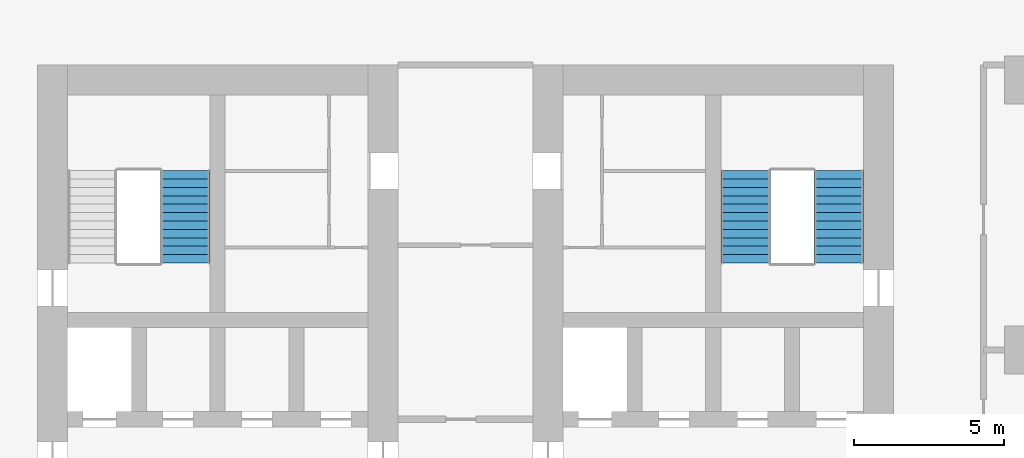
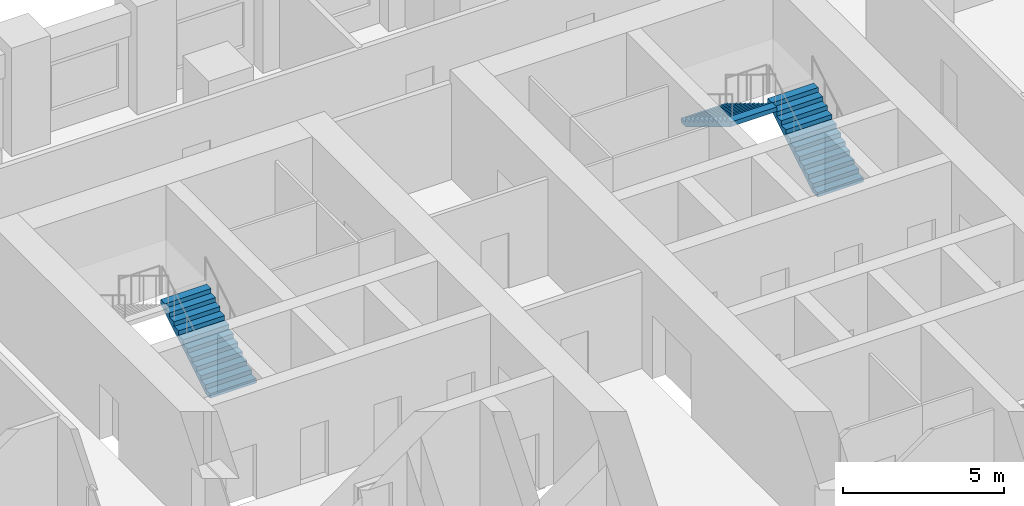
# One storey, part 9 of 12: 3 stair flights, 2 elements without a shape of their own.
"""IFC4 building model written with IfcOpenShell, lengths in metres."""

from ifc_helpers import new_model, si_unit, direction, frame, origin, place, context, subcontext, project, spatial, polyline, outline, extrude, material, type_object, element, aggregate, save


model = new_model("IFC4")

# Units and contexts
model_context = context("Model", 3, precision=1e-05, world=origin(), true_north=direction((0.0, 1.0)))
body_context = subcontext(model_context, "Body", "Model", "MODEL_VIEW")
ifc_project = project(units=[si_unit("LENGTHUNIT", "METRE"), si_unit("AREAUNIT", "SQUARE_METRE"), si_unit("VOLUMEUNIT", "CUBIC_METRE"), si_unit("PLANEANGLEUNIT", "RADIAN"), si_unit("MASSUNIT", "GRAM", prefix="KILO")], contexts=[model_context])

# Site, building, storey
site_placement = place(None, origin())
site = spatial("IfcSite", under=ifc_project, at=site_placement, CompositionType="ELEMENT")
building_placement = place(site_placement, origin())
building = spatial("IfcBuilding", under=site, at=building_placement, Name="Corbel Stack Research Tower", CompositionType="ELEMENT")
storey_placement = place(building_placement, frame((0.0, 0.0, 27.699951171875)))
storey = spatial("IfcBuildingStorey", under=building, at=storey_placement, Name="L06", CompositionType="ELEMENT", Elevation=27.699951171875)

# Stair, stair flight
ifc_material_1 = material(Name="Concrete C40/50", Category="concrete")
stair_type = type_object("IfcStairType", Name="Exit stair 24 risers", PredefinedType="HALF_TURN_STAIR", material=ifc_material_1)
stair_1_placement = place(storey_placement, origin())
stair_1 = element("IfcStair", 1, at=stair_1_placement, inside=storey, type_object=stair_type, Name="L06 Exit stair ST-W2", PredefinedType="HALF_TURN_STAIR")
ifc_material_2 = material(Name="Concrete C40/50", Category="concrete")
stair_flight_type = type_object("IfcStairFlightType", Name="Stair flight 12 risers", PredefinedType="STRAIGHT", material=ifc_material_2)
stair_flight_1_placement = place(storey_placement, frame((-5.574951171875, 11.89990234375, 0.0), z_axis=(0.0, 0.0, 1.0), x_axis=(0.0, 1.0, 0.0)))
stair_flight_1 = element("IfcStairFlight", 2, at=stair_flight_1_placement, type_object=stair_flight_type, Name="ST-W2 flight 1", NumberOfRisers=12, NumberOfTreads=11, PredefinedType="STRAIGHT", RiserHeight=0.170833333, TreadLength=0.28, context=body_context, shape_type="SweptSolid", body=[
    extrude(outline(polyline([(0.0, 0.0), (0.0, 0.1708984375), (0.280029296875, 0.1708984375), (0.280029296875, 0.341552734375), (0.56005859375, 0.341552734375), (0.56005859375, 0.512451171875), (0.840087890625, 0.512451171875), (0.840087890625, 0.683349609375), (1.1201171875, 0.683349609375), (1.1201171875, 0.854248046875), (1.39990234375, 0.854248046875), (1.39990234375, 1.02490234375), (1.679931640625, 1.02490234375), (1.679931640625, 1.19580078125), (1.9599609375, 1.19580078125), (1.9599609375, 1.36669921875), (2.239990234375, 1.36669921875), (2.239990234375, 1.53759765625), (2.52001953125, 1.53759765625), (2.52001953125, 1.708251953125), (2.800048828125, 1.708251953125), (2.800048828125, 1.879150390625), (3.080078125, 1.879150390625), (3.080078125, 2.050048828125), (3.080078125, 1.70361328125), (0.287841796875, 0.0), (0.0, 0.0)])), frame((0.0, 0.824951171875, 0.0), z_axis=(0.0, -1.0, 0.0), x_axis=(1.0, 0.0, 0.0)), (0.0, 0.0, 1.0), 1.64990234375),
])
aggregate(stair_1, [stair_flight_1])

# Stair, stair flights
stair_2_placement = place(storey_placement, origin())
stair_2 = element("IfcStair", 3, at=stair_2_placement, inside=storey, type_object=stair_type, Name="L06 Exit stair ST-E2", PredefinedType="HALF_TURN_STAIR")
stair_flight_2_placement = place(storey_placement, frame((16.175048828125, 11.89990234375, 0.0), z_axis=(0.0, 0.0, 1.0), x_axis=(0.0, 1.0, 0.0)))
stair_flight_2 = element("IfcStairFlight", 4, at=stair_flight_2_placement, type_object=stair_flight_type, Name="ST-E2 flight 1", NumberOfRisers=12, NumberOfTreads=11, PredefinedType="STRAIGHT", RiserHeight=0.170833333, TreadLength=0.28, context=body_context, shape_type="SweptSolid", body=[
    extrude(outline(polyline([(0.0, 0.0), (0.0, 0.1708984375), (0.280029296875, 0.1708984375), (0.280029296875, 0.341552734375), (0.56005859375, 0.341552734375), (0.56005859375, 0.512451171875), (0.840087890625, 0.512451171875), (0.840087890625, 0.683349609375), (1.1201171875, 0.683349609375), (1.1201171875, 0.854248046875), (1.39990234375, 0.854248046875), (1.39990234375, 1.02490234375), (1.679931640625, 1.02490234375), (1.679931640625, 1.19580078125), (1.9599609375, 1.19580078125), (1.9599609375, 1.36669921875), (2.239990234375, 1.36669921875), (2.239990234375, 1.53759765625), (2.52001953125, 1.53759765625), (2.52001953125, 1.708251953125), (2.800048828125, 1.708251953125), (2.800048828125, 1.879150390625), (3.080078125, 1.879150390625), (3.080078125, 2.050048828125), (3.080078125, 1.70361328125), (0.287841796875, 0.0), (0.0, 0.0)])), frame((0.0, 0.824951171875, 0.0), z_axis=(0.0, -1.0, 0.0), x_axis=(1.0, 0.0, 0.0)), (0.0, 0.0, 1.0), 1.64990234375),
])
stair_flight_3_placement = place(storey_placement, frame((13.074951171875, 14.97998046875, 2.050048828125), z_axis=(0.0, 0.0, 1.0), x_axis=(0.0, -1.0, 0.0)))
stair_flight_3 = element("IfcStairFlight", 5, at=stair_flight_3_placement, type_object=stair_flight_type, Name="ST-E2 flight 2", NumberOfRisers=12, NumberOfTreads=11, PredefinedType="STRAIGHT", RiserHeight=0.170833333, TreadLength=0.28, context=body_context, shape_type="SweptSolid", body=[
    extrude(outline(polyline([(0.0, 0.0), (0.0, 0.1708984375), (0.280029296875, 0.1708984375), (0.280029296875, 0.341552734375), (0.56005859375, 0.341552734375), (0.56005859375, 0.512451171875), (0.840087890625, 0.512451171875), (0.840087890625, 0.683349609375), (1.1201171875, 0.683349609375), (1.1201171875, 0.854248046875), (1.39990234375, 0.854248046875), (1.39990234375, 1.02490234375), (1.679931640625, 1.02490234375), (1.679931640625, 1.19580078125), (1.9599609375, 1.19580078125), (1.9599609375, 1.36669921875), (2.239990234375, 1.36669921875), (2.239990234375, 1.53759765625), (2.52001953125, 1.53759765625), (2.52001953125, 1.708251953125), (2.800048828125, 1.708251953125), (2.800048828125, 1.879150390625), (3.080078125, 1.879150390625), (3.080078125, 2.050048828125), (3.080078125, 1.70361328125), (0.287841796875, 0.0), (0.0, 0.0)])), frame((0.0, 0.824951171875, 0.0), z_axis=(0.0, -1.0, 0.0), x_axis=(1.0, 0.0, 0.0)), (0.0, 0.0, 1.0), 1.64990234375),
])
aggregate(stair_2, [stair_flight_2, stair_flight_3])

save(model, "model.ifc")
